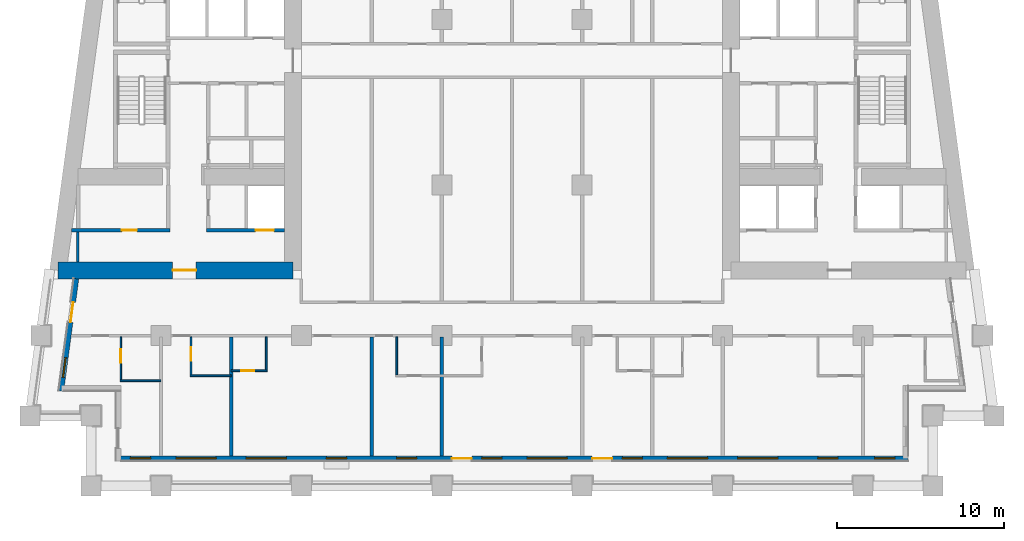
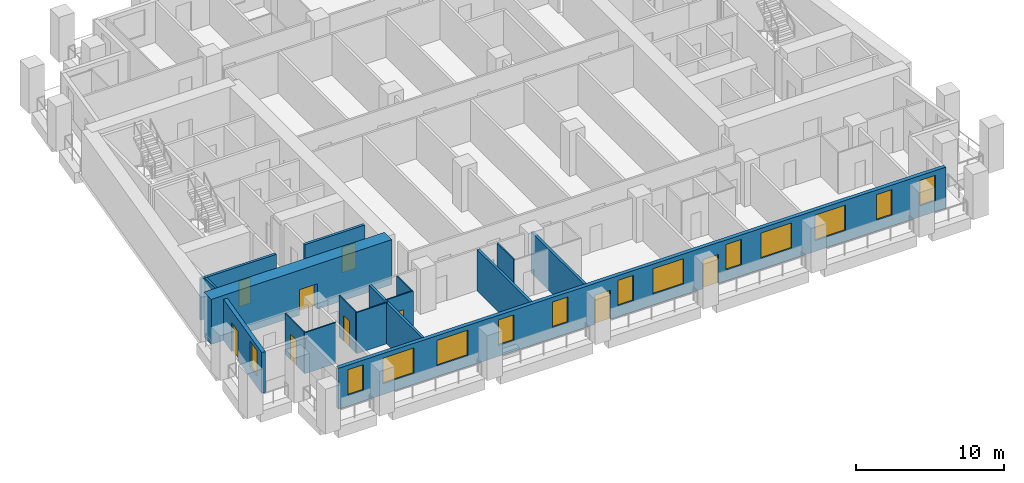
# One storey, part 2 of 13: 16 walls, 13 windows, 9 doors, 22 openings.
"""IFC4 building model written with IfcOpenShell, lengths in metres."""

import ifcopenshell
import ifcopenshell.guid

model = None  # the IFC model being written
_history = None  # IfcOwnerHistory: only IFC2X3 demands one
_inside = {}  # id of a spatial element -> (the spatial element, [elements in it])
_under = {}  # id of a project, library or spatial element -> (it, [spatial elements below it])
_declared = {}  # id of a project -> (the project, [libraries it declares])
_typed = {}  # id of a type object -> (the type object, [elements of that type])
_made_of = {}  # id of a material, layer set ... -> (it, [elements and type objects made of it])


def new_model(schema):
    """Start an empty IFC model of exactly this schema.

    Asked for "IFC4X3", IfcOpenShell would pick the latest addendum, in which some entities
    have other attributes; the version numbers below select the first issue.
    IFC2X3 requires an IfcOwnerHistory on every rooted entity: one is made here for all.
    """
    global model, _history
    if schema == "IFC4X3":
        model = ifcopenshell.file(schema_version=(4, 3, 0, 0))
    else:
        model = ifcopenshell.file(schema=schema)
    _inside.clear()
    _under.clear()
    _declared.clear()
    _typed.clear()
    _made_of.clear()
    _history = None
    if model.schema == "IFC2X3":
        org = make("IfcOrganization", Name="unknown")
        user = make(
            "IfcPersonAndOrganization",
            ThePerson=make("IfcPerson", FamilyName="unknown"),
            TheOrganization=org,
        )
        app = make(
            "IfcApplication",
            ApplicationDeveloper=org,
            Version="unknown",
            ApplicationFullName="unknown",
            ApplicationIdentifier="unknown",
        )
        _history = make(
            "IfcOwnerHistory",
            OwningUser=user,
            OwningApplication=app,
            ChangeAction="ADDED",
            CreationDate=0,
        )
    return model


def make(cls, **values):
    """One entity of the class cls with the attributes given. An attribute that is None is left unset."""
    return model.create_entity(
        cls, **{name: value for name, value in values.items() if value is not None}
    )


def rooted(cls, **values):
    """An entity with a GlobalId (a new one), such as an element, a storey or a relation."""
    return make(cls, GlobalId=ifcopenshell.guid.new(), OwnerHistory=_history, **values)


def si_unit(unit_type, name, prefix=None):
    """IfcSIUnit, for example si_unit("LENGTHUNIT", "METRE", prefix="MILLI")."""
    return make("IfcSIUnit", UnitType=unit_type, Prefix=prefix, Name=name)


def assignment(units):
    """IfcUnitAssignment: the units of a project."""
    return None if units is None else make("IfcUnitAssignment", Units=units)


def point(xyz):
    """IfcCartesianPoint."""
    return None if xyz is None else make("IfcCartesianPoint", Coordinates=xyz)


def direction(xyz):
    """IfcDirection."""
    return None if xyz is None else make("IfcDirection", DirectionRatios=xyz)


def frame(location, z_axis=None, x_axis=None):
    """IfcAxis2Placement3D, a coordinate frame: its origin and axes. An axis left out is left unset."""
    return make(
        "IfcAxis2Placement3D",
        Location=point(location),
        Axis=direction(z_axis),
        RefDirection=direction(x_axis),
    )


def frame_2d(location, x_axis=None):
    """IfcAxis2Placement2D, a coordinate frame in the plane: its origin and x axis."""
    return make(
        "IfcAxis2Placement2D", Location=point(location), RefDirection=direction(x_axis)
    )


def origin():
    """The frame at (0, 0, 0) with its axes left unset."""
    return frame((0.0, 0.0, 0.0))


def place(relative_to, where):
    """IfcLocalPlacement: puts the frame where relative to a parent placement (None: the world)."""
    return make(
        "IfcLocalPlacement", PlacementRelTo=relative_to, RelativePlacement=where
    )


def context(
    kind, dimensions, precision=None, world=None, true_north=None, identifier=None
):
    """IfcGeometricRepresentationContext, for example the 3D "Model" context."""
    return make(
        "IfcGeometricRepresentationContext",
        ContextIdentifier=identifier,
        ContextType=kind,
        CoordinateSpaceDimension=dimensions,
        Precision=precision,
        WorldCoordinateSystem=world,
        TrueNorth=true_north,
    )


def subcontext(parent, identifier, kind, view, scale=None):
    """IfcGeometricRepresentationSubContext, for example "Body" below "Model"."""
    return make(
        "IfcGeometricRepresentationSubContext",
        ContextIdentifier=identifier,
        ContextType=kind,
        ParentContext=parent,
        TargetScale=scale,
        TargetView=view,
    )


def project(units=None, contexts=None):
    """IfcProject with its units and contexts."""
    return rooted(
        "IfcProject",
        Name="project",
        RepresentationContexts=contexts,
        UnitsInContext=assignment(units),
    )


def spatial(cls, under=None, at=None, **own):
    """A site, building, storey or space (cls), placed at a placement, below another one or the project."""
    s = rooted(cls, ObjectPlacement=at, **own)
    if under is not None:
        _under.setdefault(under.id(), (under, []))[1].append(s)
    return s


def profile(cls, at=None, kind="AREA", **sizes):
    """A parametric profile (cls). Its sizes go by their IFC names, for example OverallWidth=200.0."""
    return make(cls, ProfileType=kind, Position=at, **sizes)


def rectangle(**sizes):
    """IfcRectangleProfileDef."""
    return profile("IfcRectangleProfileDef", **sizes)


def extrude(swept, where, along, depth):
    """IfcExtrudedAreaSolid: the profile swept, set in the frame where, extruded along a direction by depth."""
    return make(
        "IfcExtrudedAreaSolid",
        SweptArea=swept,
        Position=where,
        ExtrudedDirection=direction(along),
        Depth=depth,
    )


def shape(context_of_items, identifier, shape_type, items):
    """IfcShapeRepresentation: the items that make up one representation, for example the "Body"."""
    return make(
        "IfcShapeRepresentation",
        ContextOfItems=context_of_items,
        RepresentationIdentifier=identifier,
        RepresentationType=shape_type,
        Items=items,
    )


def material(Name=None, Category=None):
    """IfcMaterial."""
    return make("IfcMaterial", Name=Name, Category=Category)


def layer(
    of_material, thickness, ventilated=None, Name=None, Category=None, Priority=None
):
    """IfcMaterialLayer: one layer of a wall or slab, of a material (None: an air gap)."""
    return make(
        "IfcMaterialLayer",
        Material=of_material,
        LayerThickness=thickness,
        IsVentilated=ventilated,
        Name=Name,
        Category=Category,
        Priority=Priority,
    )


def layer_set(layers, Name=None):
    """IfcMaterialLayerSet."""
    return make("IfcMaterialLayerSet", MaterialLayers=layers, LayerSetName=Name)


def made_of(thing, what):
    """Note that an element or type object is made of a material, layer set ...; save() writes the relation."""
    if what is not None:
        _made_of.setdefault(what.id(), (what, []))[1].append(thing)
    return thing


def type_object(cls, material=None, **own):
    """A type object (cls), such as IfcWallType, which elements share."""
    return made_of(rooted(cls, **own), material)


def element(
    cls,
    number,
    at=None,
    inside=None,
    cuts=None,
    type_object=None,
    material=None,
    context=None,
    identifier="Body",
    shape_type=None,
    held_by="IfcProductDefinitionShape",
    body=None,
    shapes=None,
    **own,
):
    """One element of the class cls, such as IfcWall. Its Tag is "e" and its number.

    at: its placement. inside: the storey or other place that contains it. cuts: it is an
    opening in that element (IfcRelVoidsElement). A single representation is given by context,
    identifier, shape_type and body (its items); several are given by shapes. held_by: the class
    of the entity that holds the representations. save() writes the other relations.
    """
    e = rooted(cls, Tag="e%d" % number, ObjectPlacement=at, **own)
    if body is not None:
        shapes = [shape(context, identifier, shape_type, body)]
    if shapes is not None:
        e.Representation = make(held_by, Representations=shapes)
    if inside is not None:
        _inside.setdefault(inside.id(), (inside, []))[1].append(e)
    if cuts is not None:
        rooted(
            "IfcRelVoidsElement", RelatingBuildingElement=cuts, RelatedOpeningElement=e
        )
    if type_object is not None:
        _typed.setdefault(type_object.id(), (type_object, []))[1].append(e)
    return made_of(e, material)


def fill(opening, filler):
    """IfcRelFillsElement: the door or window that sits in an opening."""
    return rooted(
        "IfcRelFillsElement",
        RelatingOpeningElement=opening,
        RelatedBuildingElement=filler,
    )


def aggregate(whole, parts):
    """IfcRelAggregates: a whole, such as a stair, and the parts it consists of."""
    return rooted("IfcRelAggregates", RelatingObject=whole, RelatedObjects=parts)


def save(model, path):
    """Write the relations noted so far, then the file.

    IfcRelAggregates (storeys below a building ...), IfcRelContainedInSpatialStructure (elements
    in a storey), IfcRelDefinesByType, IfcRelAssociatesMaterial and IfcRelDeclares: one each for
    every whole, place, type object, material and project.
    """
    for whole, parts in _under.values():
        aggregate(whole, parts)
    for where, things in _inside.values():
        rooted(
            "IfcRelContainedInSpatialStructure",
            RelatedElements=things,
            RelatingStructure=where,
        )
    for kind, things in _typed.values():
        rooted("IfcRelDefinesByType", RelatedObjects=things, RelatingType=kind)
    for what, things in _made_of.values():
        rooted("IfcRelAssociatesMaterial", RelatedObjects=things, RelatingMaterial=what)
    for by, libraries in _declared.values():
        rooted("IfcRelDeclares", RelatingContext=by, RelatedDefinitions=libraries)
    model.write(path)


model = new_model("IFC4")

# Units and contexts
model_context = context("Model", 3, precision=1e-05, world=origin(), true_north=direction((0.0, 1.0)))
body_context = subcontext(model_context, "Body", "Model", "MODEL_VIEW")
ifc_project = project(units=[si_unit("LENGTHUNIT", "METRE"), si_unit("AREAUNIT", "SQUARE_METRE"), si_unit("VOLUMEUNIT", "CUBIC_METRE"), si_unit("PLANEANGLEUNIT", "RADIAN"), si_unit("MASSUNIT", "GRAM", prefix="KILO")], contexts=[model_context])

# Site, building, storey
site_placement = place(None, origin())
site = spatial("IfcSite", under=ifc_project, at=site_placement, CompositionType="ELEMENT")
building_placement = place(site_placement, origin())
building = spatial("IfcBuilding", under=site, at=building_placement, Name="Candeia Pilgrim Tower and Theatre", CompositionType="ELEMENT")
storey_placement = place(building_placement, frame((0.0, 0.0, 105.800048828125)))
storey = spatial("IfcBuildingStorey", under=building, at=storey_placement, Name="L24", CompositionType="ELEMENT", Elevation=105.800048828125)

# Wall, opening, door
ifc_material_1 = material(Name="Concrete C70/85", Category="concrete")
ifc_layer_1 = layer(ifc_material_1, 1.0)
ifc_layer_set_1 = layer_set([ifc_layer_1], Name="Core wall 1000 C70/85")
wall_type_1 = type_object("IfcWallType", Name="Core wall 1000 C70/85", PredefinedType="SHEAR", material=ifc_layer_set_1)
wall_1_placement = place(storey_placement, frame((100.300048828125, 110.89990234375, 0.0), z_axis=(0.0, 0.0, 1.0), x_axis=(-1.0, 0.0, 0.0)))
wall_1 = element("IfcWall", 1, at=wall_1_placement, inside=storey, type_object=wall_type_1, Name="Core wall W3", PredefinedType="SHEAR", context=body_context, shape_type="SweptSolid", body=[
    extrude(rectangle(XDim=14.05908203125, YDim=1.0, at=frame_2d((7.029541015625, 0.0))), origin(), (0.0, 0.0, 1.0), 3.699951171875),
])
opening_1_placement = place(wall_1_placement, frame((5.801513671875, 0.0, 0.0)))
opening_1 = element("IfcOpeningElement", 2, at=opening_1_placement, cuts=wall_1, Name="Opening L24-D059", PredefinedType="OPENING", context=body_context, shape_type="SweptSolid", body=[
    extrude(rectangle(XDim=1.39990234375, YDim=2.10009765625, at=frame_2d((0.699951171875, 1.050048828125))), frame((0.0, 0.510009765625, 0.0), z_axis=(0.0, -1.0, 0.0), x_axis=(1.0, 0.0, 0.0)), (0.0, 0.0, 1.0), 1.02001953125),
])
ifc_material_2 = material(Name="Steel fire door set", Category="steel")
door_type_1 = type_object("IfcDoorType", Name="D-1400-FD60", OperationType="NOTDEFINED", PredefinedType="DOOR", material=ifc_material_2)
door_1_placement = place(opening_1_placement, origin())
door_1 = element("IfcDoor", 3, at=door_1_placement, inside=storey, type_object=door_type_1, Name="Door L24-D059", OperationType="SINGLE_SWING_LEFT", OverallHeight=2.10009765625, OverallWidth=1.39990234375, PredefinedType="DOOR", context=body_context, shape_type="SweptSolid", body=[
    extrude(rectangle(XDim=1.39990234375, YDim=2.10009765625, at=frame_2d((0.699951171875, 1.050048828125))), frame((0.0, 0.02490234375, 0.0), z_axis=(0.0, -1.0, 0.0), x_axis=(1.0, 0.0, 0.0)), (0.0, 0.0, 1.0), 0.050048828125),
])
fill(opening_1, door_1)

# Wall, openings, doors, windows
ifc_material_3 = material(Name="Ceramic block masonry", Category="masonry")
ifc_layer_2 = layer(ifc_material_3, 0.300048828125)
ifc_layer_set_2 = layer_set([ifc_layer_2], Name="EW1 glazing-line wall 300")
wall_type_2 = type_object("IfcWallType", Name="EW1 glazing-line wall 300", PredefinedType="SOLIDWALL", material=ifc_layer_set_2)
wall_2_placement = place(storey_placement, frame((89.85009765625, 99.64990234375, 0.0), z_axis=(0.0, 0.0, 1.0), x_axis=(1.0, 0.0, 0.0)))
wall_2 = element("IfcWall", 4, at=wall_2_placement, inside=storey, type_object=wall_type_2, Name="External wall L24-0.0", PredefinedType="SOLIDWALL", context=body_context, shape_type="SweptSolid", body=[
    extrude(rectangle(XDim=47.25, YDim=0.300048828125, at=frame_2d((23.625, 0.0))), origin(), (0.0, 0.0, 1.0), 3.3798828125),
])
opening_2_placement = place(wall_2_placement, frame((0.72509765625, 0.0, 0.89990234375)))
opening_2 = element("IfcOpeningElement", 5, at=opening_2_placement, cuts=wall_2, Name="Opening W-B", PredefinedType="OPENING", context=body_context, shape_type="SweptSolid", body=[
    extrude(rectangle(XDim=1.199951171875, YDim=2.10009765625, at=frame_2d((0.60009765625, 1.050048828125))), frame((0.0, 0.16015625, 0.0), z_axis=(0.0, -1.0, 0.0), x_axis=(1.0, 0.0, 0.0)), (0.0, 0.0, 1.0), 0.320068359375),
])
opening_3_placement = place(wall_2_placement, frame((3.449951171875, 0.0, 0.89990234375)))
opening_3 = element("IfcOpeningElement", 6, at=opening_3_placement, cuts=wall_2, Name="Opening W-A", PredefinedType="OPENING", context=body_context, shape_type="SweptSolid", body=[
    extrude(rectangle(XDim=2.39990234375, YDim=2.10009765625, at=frame_2d((1.199951171875, 1.050048828125))), frame((0.0, 0.16015625, 0.0), z_axis=(0.0, -1.0, 0.0), x_axis=(1.0, 0.0, 0.0)), (0.0, 0.0, 1.0), 0.320068359375),
])
opening_4_placement = place(wall_2_placement, frame((7.64990234375, 0.0, 0.89990234375)))
opening_4 = element("IfcOpeningElement", 7, at=opening_4_placement, cuts=wall_2, Name="Opening W-A", PredefinedType="OPENING", context=body_context, shape_type="SweptSolid", body=[
    extrude(rectangle(XDim=2.39990234375, YDim=2.10009765625, at=frame_2d((1.199951171875, 1.050048828125))), frame((0.0, 0.16015625, 0.0), z_axis=(0.0, -1.0, 0.0), x_axis=(1.0, 0.0, 0.0)), (0.0, 0.0, 1.0), 0.320068359375),
])
opening_5_placement = place(wall_2_placement, frame((12.449951171875, 0.0, 0.89990234375)))
opening_5 = element("IfcOpeningElement", 8, at=opening_5_placement, cuts=wall_2, Name="Opening W-B", PredefinedType="OPENING", context=body_context, shape_type="SweptSolid", body=[
    extrude(rectangle(XDim=1.199951171875, YDim=2.10009765625, at=frame_2d((0.60009765625, 1.050048828125))), frame((0.0, 0.16015625, 0.0), z_axis=(0.0, -1.0, 0.0), x_axis=(1.0, 0.0, 0.0)), (0.0, 0.0, 1.0), 0.320068359375),
])
opening_6_placement = place(wall_2_placement, frame((16.64990234375, 0.0, 0.89990234375)))
opening_6 = element("IfcOpeningElement", 9, at=opening_6_placement, cuts=wall_2, Name="Opening W-B", PredefinedType="OPENING", context=body_context, shape_type="SweptSolid", body=[
    extrude(rectangle(XDim=1.199951171875, YDim=2.10009765625, at=frame_2d((0.60009765625, 1.050048828125))), frame((0.0, 0.16015625, 0.0), z_axis=(0.0, -1.0, 0.0), x_axis=(1.0, 0.0, 0.0)), (0.0, 0.0, 1.0), 0.320068359375),
])
opening_7_placement = place(wall_2_placement, frame((19.949951171875, 0.0, 0.0)))
opening_7 = element("IfcOpeningElement", 10, at=opening_7_placement, cuts=wall_2, Name="Opening L24-ED243", PredefinedType="OPENING", context=body_context, shape_type="SweptSolid", body=[
    extrude(rectangle(XDim=1.199951171875, YDim=2.39990234375, at=frame_2d((0.60009765625, 1.199951171875))), frame((0.0, 0.16015625, 0.0), z_axis=(0.0, -1.0, 0.0), x_axis=(1.0, 0.0, 0.0)), (0.0, 0.0, 1.0), 0.320068359375),
])
opening_8_placement = place(wall_2_placement, frame((21.75, 0.0, 0.89990234375)))
opening_8 = element("IfcOpeningElement", 11, at=opening_8_placement, cuts=wall_2, Name="Opening W-B", PredefinedType="OPENING", context=body_context, shape_type="SweptSolid", body=[
    extrude(rectangle(XDim=1.199951171875, YDim=2.10009765625, at=frame_2d((0.60009765625, 1.050048828125))), frame((0.0, 0.16015625, 0.0), z_axis=(0.0, -1.0, 0.0), x_axis=(1.0, 0.0, 0.0)), (0.0, 0.0, 1.0), 0.320068359375),
])
opening_9_placement = place(wall_2_placement, frame((24.449951171875, 0.0, 0.89990234375)))
opening_9 = element("IfcOpeningElement", 12, at=opening_9_placement, cuts=wall_2, Name="Opening W-A", PredefinedType="OPENING", context=body_context, shape_type="SweptSolid", body=[
    extrude(rectangle(XDim=2.39990234375, YDim=2.10009765625, at=frame_2d((1.199951171875, 1.050048828125))), frame((0.0, 0.16015625, 0.0), z_axis=(0.0, -1.0, 0.0), x_axis=(1.0, 0.0, 0.0)), (0.0, 0.0, 1.0), 0.320068359375),
])
opening_10_placement = place(wall_2_placement, frame((28.35009765625, 0.0, 0.0)))
opening_10 = element("IfcOpeningElement", 13, at=opening_10_placement, cuts=wall_2, Name="Opening L24-ED244", PredefinedType="OPENING", context=body_context, shape_type="SweptSolid", body=[
    extrude(rectangle(XDim=1.199951171875, YDim=2.39990234375, at=frame_2d((0.60009765625, 1.199951171875))), frame((0.0, 0.16015625, 0.0), z_axis=(0.0, -1.0, 0.0), x_axis=(1.0, 0.0, 0.0)), (0.0, 0.0, 1.0), 0.320068359375),
])
opening_11_placement = place(wall_2_placement, frame((30.14990234375, 0.0, 0.89990234375)))
opening_11 = element("IfcOpeningElement", 14, at=opening_11_placement, cuts=wall_2, Name="Opening W-B", PredefinedType="OPENING", context=body_context, shape_type="SweptSolid", body=[
    extrude(rectangle(XDim=1.199951171875, YDim=2.10009765625, at=frame_2d((0.60009765625, 1.050048828125))), frame((0.0, 0.16015625, 0.0), z_axis=(0.0, -1.0, 0.0), x_axis=(1.0, 0.0, 0.0)), (0.0, 0.0, 1.0), 0.320068359375),
])
opening_12_placement = place(wall_2_placement, frame((32.85009765625, 0.0, 0.89990234375)))
opening_12 = element("IfcOpeningElement", 15, at=opening_12_placement, cuts=wall_2, Name="Opening W-A", PredefinedType="OPENING", context=body_context, shape_type="SweptSolid", body=[
    extrude(rectangle(XDim=2.39990234375, YDim=2.10009765625, at=frame_2d((1.199951171875, 1.050048828125))), frame((0.0, 0.16015625, 0.0), z_axis=(0.0, -1.0, 0.0), x_axis=(1.0, 0.0, 0.0)), (0.0, 0.0, 1.0), 0.320068359375),
])
opening_13_placement = place(wall_2_placement, frame((37.050048828125, 0.0, 0.89990234375)))
opening_13 = element("IfcOpeningElement", 16, at=opening_13_placement, cuts=wall_2, Name="Opening W-A", PredefinedType="OPENING", context=body_context, shape_type="SweptSolid", body=[
    extrude(rectangle(XDim=2.39990234375, YDim=2.10009765625, at=frame_2d((1.199951171875, 1.050048828125))), frame((0.0, 0.16015625, 0.0), z_axis=(0.0, -1.0, 0.0), x_axis=(1.0, 0.0, 0.0)), (0.0, 0.0, 1.0), 0.320068359375),
])
opening_14_placement = place(wall_2_placement, frame((41.85009765625, 0.0, 0.89990234375)))
opening_14 = element("IfcOpeningElement", 17, at=opening_14_placement, cuts=wall_2, Name="Opening W-B", PredefinedType="OPENING", context=body_context, shape_type="SweptSolid", body=[
    extrude(rectangle(XDim=1.199951171875, YDim=2.10009765625, at=frame_2d((0.60009765625, 1.050048828125))), frame((0.0, 0.16015625, 0.0), z_axis=(0.0, -1.0, 0.0), x_axis=(1.0, 0.0, 0.0)), (0.0, 0.0, 1.0), 0.320068359375),
])
opening_15_placement = place(wall_2_placement, frame((45.25, 0.0, 0.89990234375)))
opening_15 = element("IfcOpeningElement", 18, at=opening_15_placement, cuts=wall_2, Name="Opening W-B", PredefinedType="OPENING", context=body_context, shape_type="SweptSolid", body=[
    extrude(rectangle(XDim=1.199951171875, YDim=2.10009765625, at=frame_2d((0.60009765625, 1.050048828125))), frame((0.0, 0.16015625, 0.0), z_axis=(0.0, -1.0, 0.0), x_axis=(1.0, 0.0, 0.0)), (0.0, 0.0, 1.0), 0.320068359375),
])
ifc_material_4 = material(Name="Aluminium framed glazed door", Category="aluminium")
door_type_2 = type_object("IfcDoorType", Name="Loggia door 1200x2400", OperationType="DOUBLE_DOOR_SINGLE_SWING", PredefinedType="DOOR", material=ifc_material_4)
door_2_placement = place(opening_7_placement, origin())
door_2 = element("IfcDoor", 19, at=door_2_placement, inside=storey, type_object=door_type_2, Name="Loggia door L24-ED243", OperationType="DOUBLE_DOOR_SINGLE_SWING", OverallHeight=2.39990234375, OverallWidth=1.199951171875, PredefinedType="DOOR", context=body_context, shape_type="SweptSolid", body=[
    extrude(rectangle(XDim=1.199951171875, YDim=2.39990234375, at=frame_2d((0.60009765625, 1.199951171875))), frame((0.0, 0.02490234375, 0.0), z_axis=(0.0, -1.0, 0.0), x_axis=(1.0, 0.0, 0.0)), (0.0, 0.0, 1.0), 0.050048828125),
])
fill(opening_7, door_2)
door_3_placement = place(opening_10_placement, origin())
door_3 = element("IfcDoor", 20, at=door_3_placement, inside=storey, type_object=door_type_2, Name="Loggia door L24-ED244", OperationType="DOUBLE_DOOR_SINGLE_SWING", OverallHeight=2.39990234375, OverallWidth=1.199951171875, PredefinedType="DOOR", context=body_context, shape_type="SweptSolid", body=[
    extrude(rectangle(XDim=1.199951171875, YDim=2.39990234375, at=frame_2d((0.60009765625, 1.199951171875))), frame((0.0, 0.02490234375, 0.0), z_axis=(0.0, -1.0, 0.0), x_axis=(1.0, 0.0, 0.0)), (0.0, 0.0, 1.0), 0.050048828125),
])
fill(opening_10, door_3)
ifc_material_5 = material(Name="Aluminium framed double glazing", Category="aluminium")
window_type_1 = type_object("IfcWindowType", Name="W-A window 2400x2100", PartitioningType="DOUBLE_PANEL_VERTICAL", PredefinedType="WINDOW", material=ifc_material_5)
window_1_placement = place(opening_3_placement, origin())
window_1 = element("IfcWindow", 21, at=window_1_placement, inside=storey, type_object=window_type_1, Name="Window W-A L24", OverallHeight=2.10009765625, OverallWidth=2.39990234375, PartitioningType="SINGLE_PANEL", PredefinedType="WINDOW", context=body_context, shape_type="SweptSolid", body=[
    extrude(rectangle(XDim=2.39990234375, YDim=2.10009765625, at=frame_2d((1.199951171875, 1.050048828125))), frame((0.0, 0.030029296875, 0.0), z_axis=(0.0, -1.0, 0.0), x_axis=(1.0, 0.0, 0.0)), (0.0, 0.0, 1.0), 0.06005859375),
])
fill(opening_3, window_1)
window_2_placement = place(opening_4_placement, origin())
window_2 = element("IfcWindow", 22, at=window_2_placement, inside=storey, type_object=window_type_1, Name="Window W-A L24", OverallHeight=2.10009765625, OverallWidth=2.39990234375, PartitioningType="SINGLE_PANEL", PredefinedType="WINDOW", context=body_context, shape_type="SweptSolid", body=[
    extrude(rectangle(XDim=2.39990234375, YDim=2.10009765625, at=frame_2d((1.199951171875, 1.050048828125))), frame((0.0, 0.030029296875, 0.0), z_axis=(0.0, -1.0, 0.0), x_axis=(1.0, 0.0, 0.0)), (0.0, 0.0, 1.0), 0.06005859375),
])
fill(opening_4, window_2)
window_3_placement = place(opening_9_placement, origin())
window_3 = element("IfcWindow", 23, at=window_3_placement, inside=storey, type_object=window_type_1, Name="Window W-A L24", OverallHeight=2.10009765625, OverallWidth=2.39990234375, PartitioningType="SINGLE_PANEL", PredefinedType="WINDOW", context=body_context, shape_type="SweptSolid", body=[
    extrude(rectangle(XDim=2.39990234375, YDim=2.10009765625, at=frame_2d((1.199951171875, 1.050048828125))), frame((0.0, 0.030029296875, 0.0), z_axis=(0.0, -1.0, 0.0), x_axis=(1.0, 0.0, 0.0)), (0.0, 0.0, 1.0), 0.06005859375),
])
fill(opening_9, window_3)
window_4_placement = place(opening_12_placement, origin())
window_4 = element("IfcWindow", 24, at=window_4_placement, inside=storey, type_object=window_type_1, Name="Window W-A L24", OverallHeight=2.10009765625, OverallWidth=2.39990234375, PartitioningType="SINGLE_PANEL", PredefinedType="WINDOW", context=body_context, shape_type="SweptSolid", body=[
    extrude(rectangle(XDim=2.39990234375, YDim=2.10009765625, at=frame_2d((1.199951171875, 1.050048828125))), frame((0.0, 0.030029296875, 0.0), z_axis=(0.0, -1.0, 0.0), x_axis=(1.0, 0.0, 0.0)), (0.0, 0.0, 1.0), 0.06005859375),
])
fill(opening_12, window_4)
window_5_placement = place(opening_13_placement, origin())
window_5 = element("IfcWindow", 25, at=window_5_placement, inside=storey, type_object=window_type_1, Name="Window W-A L24", OverallHeight=2.10009765625, OverallWidth=2.39990234375, PartitioningType="SINGLE_PANEL", PredefinedType="WINDOW", context=body_context, shape_type="SweptSolid", body=[
    extrude(rectangle(XDim=2.39990234375, YDim=2.10009765625, at=frame_2d((1.199951171875, 1.050048828125))), frame((0.0, 0.030029296875, 0.0), z_axis=(0.0, -1.0, 0.0), x_axis=(1.0, 0.0, 0.0)), (0.0, 0.0, 1.0), 0.06005859375),
])
fill(opening_13, window_5)
window_type_2 = type_object("IfcWindowType", Name="W-B window 1200x2100", PartitioningType="SINGLE_PANEL", PredefinedType="WINDOW", material=ifc_material_5)
window_6_placement = place(opening_2_placement, origin())
window_6 = element("IfcWindow", 26, at=window_6_placement, inside=storey, type_object=window_type_2, Name="Window W-B L24", OverallHeight=2.10009765625, OverallWidth=1.199951171875, PartitioningType="SINGLE_PANEL", PredefinedType="WINDOW", context=body_context, shape_type="SweptSolid", body=[
    extrude(rectangle(XDim=1.199951171875, YDim=2.10009765625, at=frame_2d((0.60009765625, 1.050048828125))), frame((0.0, 0.030029296875, 0.0), z_axis=(0.0, -1.0, 0.0), x_axis=(1.0, 0.0, 0.0)), (0.0, 0.0, 1.0), 0.06005859375),
])
fill(opening_2, window_6)
window_7_placement = place(opening_5_placement, origin())
window_7 = element("IfcWindow", 27, at=window_7_placement, inside=storey, type_object=window_type_2, Name="Window W-B L24", OverallHeight=2.10009765625, OverallWidth=1.199951171875, PartitioningType="SINGLE_PANEL", PredefinedType="WINDOW", context=body_context, shape_type="SweptSolid", body=[
    extrude(rectangle(XDim=1.199951171875, YDim=2.10009765625, at=frame_2d((0.60009765625, 1.050048828125))), frame((0.0, 0.030029296875, 0.0), z_axis=(0.0, -1.0, 0.0), x_axis=(1.0, 0.0, 0.0)), (0.0, 0.0, 1.0), 0.06005859375),
])
fill(opening_5, window_7)
window_8_placement = place(opening_6_placement, origin())
window_8 = element("IfcWindow", 28, at=window_8_placement, inside=storey, type_object=window_type_2, Name="Window W-B L24", OverallHeight=2.10009765625, OverallWidth=1.199951171875, PartitioningType="SINGLE_PANEL", PredefinedType="WINDOW", context=body_context, shape_type="SweptSolid", body=[
    extrude(rectangle(XDim=1.199951171875, YDim=2.10009765625, at=frame_2d((0.60009765625, 1.050048828125))), frame((0.0, 0.030029296875, 0.0), z_axis=(0.0, -1.0, 0.0), x_axis=(1.0, 0.0, 0.0)), (0.0, 0.0, 1.0), 0.06005859375),
])
fill(opening_6, window_8)
window_9_placement = place(opening_8_placement, origin())
window_9 = element("IfcWindow", 29, at=window_9_placement, inside=storey, type_object=window_type_2, Name="Window W-B L24", OverallHeight=2.10009765625, OverallWidth=1.199951171875, PartitioningType="SINGLE_PANEL", PredefinedType="WINDOW", context=body_context, shape_type="SweptSolid", body=[
    extrude(rectangle(XDim=1.199951171875, YDim=2.10009765625, at=frame_2d((0.60009765625, 1.050048828125))), frame((0.0, 0.030029296875, 0.0), z_axis=(0.0, -1.0, 0.0), x_axis=(1.0, 0.0, 0.0)), (0.0, 0.0, 1.0), 0.06005859375),
])
fill(opening_8, window_9)
window_10_placement = place(opening_11_placement, origin())
window_10 = element("IfcWindow", 30, at=window_10_placement, inside=storey, type_object=window_type_2, Name="Window W-B L24", OverallHeight=2.10009765625, OverallWidth=1.199951171875, PartitioningType="SINGLE_PANEL", PredefinedType="WINDOW", context=body_context, shape_type="SweptSolid", body=[
    extrude(rectangle(XDim=1.199951171875, YDim=2.10009765625, at=frame_2d((0.60009765625, 1.050048828125))), frame((0.0, 0.030029296875, 0.0), z_axis=(0.0, -1.0, 0.0), x_axis=(1.0, 0.0, 0.0)), (0.0, 0.0, 1.0), 0.06005859375),
])
fill(opening_11, window_10)
window_11_placement = place(opening_14_placement, origin())
window_11 = element("IfcWindow", 31, at=window_11_placement, inside=storey, type_object=window_type_2, Name="Window W-B L24", OverallHeight=2.10009765625, OverallWidth=1.199951171875, PartitioningType="SINGLE_PANEL", PredefinedType="WINDOW", context=body_context, shape_type="SweptSolid", body=[
    extrude(rectangle(XDim=1.199951171875, YDim=2.10009765625, at=frame_2d((0.60009765625, 1.050048828125))), frame((0.0, 0.030029296875, 0.0), z_axis=(0.0, -1.0, 0.0), x_axis=(1.0, 0.0, 0.0)), (0.0, 0.0, 1.0), 0.06005859375),
])
fill(opening_14, window_11)
window_12_placement = place(opening_15_placement, origin())
window_12 = element("IfcWindow", 32, at=window_12_placement, inside=storey, type_object=window_type_2, Name="Window W-B L24", OverallHeight=2.10009765625, OverallWidth=1.199951171875, PartitioningType="SINGLE_PANEL", PredefinedType="WINDOW", context=body_context, shape_type="SweptSolid", body=[
    extrude(rectangle(XDim=1.199951171875, YDim=2.10009765625, at=frame_2d((0.60009765625, 1.050048828125))), frame((0.0, 0.030029296875, 0.0), z_axis=(0.0, -1.0, 0.0), x_axis=(1.0, 0.0, 0.0)), (0.0, 0.0, 1.0), 0.06005859375),
])
fill(opening_15, window_12)

# Wall, openings, door, window
wall_3_placement = place(storey_placement, frame((87.334228515625, 110.39990234375, 0.0), z_axis=(0.0, 0.0, 1.0), x_axis=(-0.133437175554, -0.991057273915, 0.0)))
wall_3 = element("IfcWall", 33, at=wall_3_placement, inside=storey, type_object=wall_type_2, Name="External wall L24-9.1", PredefinedType="SOLIDWALL", context=body_context, shape_type="SweptSolid", body=[
    extrude(rectangle(XDim=6.780517578125, YDim=0.300048828125, at=frame_2d((3.39013671875, 0.0))), origin(), (0.0, 0.0, 1.0), 3.3798828125),
])
opening_16_placement = place(wall_3_placement, frame((1.41796875, 0.0, 0.0)))
opening_16 = element("IfcOpeningElement", 34, at=opening_16_placement, cuts=wall_3, Name="Opening L24-ED251", PredefinedType="OPENING", context=body_context, shape_type="SweptSolid", body=[
    extrude(rectangle(XDim=1.199951171875, YDim=2.39990234375, at=frame_2d((0.60009765625, 1.199951171875))), frame((0.0, 0.16015625, 0.0), z_axis=(0.0, -1.0, 0.0), x_axis=(1.0, 0.0, 0.0)), (0.0, 0.0, 1.0), 0.320068359375),
])
opening_17_placement = place(wall_3_placement, frame((4.75830078125, 0.0, 0.89990234375)))
opening_17 = element("IfcOpeningElement", 35, at=opening_17_placement, cuts=wall_3, Name="Opening W-B", PredefinedType="OPENING", context=body_context, shape_type="SweptSolid", body=[
    extrude(rectangle(XDim=1.199951171875, YDim=2.10009765625, at=frame_2d((0.60009765625, 1.050048828125))), frame((0.0, 0.16015625, 0.0), z_axis=(0.0, -1.0, 0.0), x_axis=(1.0, 0.0, 0.0)), (0.0, 0.0, 1.0), 0.320068359375),
])
door_4_placement = place(opening_16_placement, origin())
door_4 = element("IfcDoor", 36, at=door_4_placement, inside=storey, type_object=door_type_2, Name="Loggia door L24-ED251", OperationType="DOUBLE_DOOR_SINGLE_SWING", OverallHeight=2.39990234375, OverallWidth=1.199951171875, PredefinedType="DOOR", context=body_context, shape_type="SweptSolid", body=[
    extrude(rectangle(XDim=1.199951171875, YDim=2.39990234375, at=frame_2d((0.60009765625, 1.199951171875))), frame((0.0, 0.02490234375, 0.0), z_axis=(0.0, -1.0, 0.0), x_axis=(1.0, 0.0, 0.0)), (0.0, 0.0, 1.0), 0.050048828125),
])
fill(opening_16, door_4)
window_13_placement = place(opening_17_placement, origin())
window_13 = element("IfcWindow", 37, at=window_13_placement, inside=storey, type_object=window_type_2, Name="Window W-B L24", OverallHeight=2.10009765625, OverallWidth=1.199951171875, PartitioningType="SINGLE_PANEL", PredefinedType="WINDOW", context=body_context, shape_type="SweptSolid", body=[
    extrude(rectangle(XDim=1.199951171875, YDim=2.10009765625, at=frame_2d((0.60009765625, 1.050048828125))), frame((0.0, 0.030029296875, 0.0), z_axis=(0.0, -1.0, 0.0), x_axis=(1.0, 0.0, 0.0)), (0.0, 0.0, 1.0), 0.06005859375),
])
fill(opening_17, window_13)

# Walls
ifc_material_6 = material(Name="Gypsum board partition on steel studs", Category="steel")
ifc_layer_3 = layer(ifc_material_6, 0.10009765625)
ifc_layer_set_3 = layer_set([ifc_layer_3], Name="PW-100 room partition")
wall_type_3 = type_object("IfcWallType", Name="PW-100 room partition", PredefinedType="PARTITIONING", material=ifc_layer_set_3)
wall_4_placement = place(storey_placement, frame((89.949951171875, 104.300048828125, 0.0), z_axis=(0.0, 0.0, 1.0), x_axis=(1.0, 0.0, 0.0)))
element("IfcWall", 38, at=wall_4_placement, inside=storey, type_object=wall_type_3, Name="Room partition L24-001", PredefinedType="PARTITIONING", context=body_context, shape_type="SweptSolid", body=[
    extrude(rectangle(XDim=2.449951171875, YDim=0.10009765625, at=frame_2d((1.22509765625, 0.0))), origin(), (0.0, 0.0, 1.0), 3.3798828125),
])
wall_5_placement = place(storey_placement, frame((94.14990234375, 104.60009765625, 0.0), z_axis=(0.0, 0.0, 1.0), x_axis=(1.0, 0.0, 0.0)))
element("IfcWall", 39, at=wall_5_placement, inside=storey, type_object=wall_type_3, Name="Room partition L24-003", PredefinedType="PARTITIONING", context=body_context, shape_type="SweptSolid", body=[
    extrude(rectangle(XDim=2.4501953125, YDim=0.10009765625, at=frame_2d((1.22509765625, 0.0))), origin(), (0.0, 0.0, 1.0), 3.3798828125),
])

# Wall, opening, door
wall_6_placement = place(storey_placement, frame((96.60009765625, 104.89990234375, 0.0), z_axis=(0.0, 0.0, 1.0), x_axis=(1.0, 0.0, 0.0)))
wall_6 = element("IfcWall", 40, at=wall_6_placement, inside=storey, type_object=wall_type_3, Name="Room partition L24-007", PredefinedType="PARTITIONING", context=body_context, shape_type="SweptSolid", body=[
    extrude(rectangle(XDim=2.14990234375, YDim=0.10009765625, at=frame_2d((1.074951171875, 0.0))), origin(), (0.0, 0.0, 1.0), 3.3798828125),
])
opening_18_placement = place(wall_6_placement, frame((0.590087890625, 0.0, 0.0)))
opening_18 = element("IfcOpeningElement", 41, at=opening_18_placement, cuts=wall_6, Name="Opening L24-D021", PredefinedType="OPENING", context=body_context, shape_type="SweptSolid", body=[
    extrude(rectangle(XDim=0.800048828125, YDim=2.10009765625, at=frame_2d((0.39990234375, 1.050048828125))), frame((0.0, 0.06005859375, 0.0), z_axis=(0.0, -1.0, 0.0), x_axis=(1.0, 0.0, 0.0)), (0.0, 0.0, 1.0), 0.1201171875),
])
ifc_material_7 = material(Name="Timber door leaf", Category="wood")
door_type_3 = type_object("IfcDoorType", Name="D-800", OperationType="NOTDEFINED", PredefinedType="DOOR", material=ifc_material_7)
door_5_placement = place(opening_18_placement, origin())
door_5 = element("IfcDoor", 42, at=door_5_placement, inside=storey, type_object=door_type_3, Name="Door L24-D021", OperationType="SINGLE_SWING_LEFT", OverallHeight=2.10009765625, OverallWidth=0.800048828125, PredefinedType="DOOR", context=body_context, shape_type="SweptSolid", body=[
    extrude(rectangle(XDim=0.800048828125, YDim=2.10009765625, at=frame_2d((0.39990234375, 1.050048828125))), frame((0.0, 0.02490234375, 0.0), z_axis=(0.0, -1.0, 0.0), x_axis=(1.0, 0.0, 0.0)), (0.0, 0.0, 1.0), 0.050048828125),
])
fill(opening_18, door_5)

wall_7_placement = place(storey_placement, frame((90.0, 104.35009765625, 0.0), z_axis=(0.0, 0.0, 1.0), x_axis=(0.0, 1.0, 0.0)))
wall_7 = element("IfcWall", 43, at=wall_7_placement, inside=storey, type_object=wall_type_3, Name="Room partition L24-052", PredefinedType="PARTITIONING", context=body_context, shape_type="SweptSolid", body=[
    extrude(rectangle(XDim=2.574951171875, YDim=0.10009765625, at=frame_2d((1.28759765625, 0.0))), origin(), (0.0, 0.0, 1.0), 3.3798828125),
])
opening_19_placement = place(wall_7_placement, frame((1.02001953125, 0.0, 0.0)))
opening_19 = element("IfcOpeningElement", 44, at=opening_19_placement, cuts=wall_7, Name="Opening L24-D017", PredefinedType="OPENING", context=body_context, shape_type="SweptSolid", body=[
    extrude(rectangle(XDim=0.800048828125, YDim=2.10009765625, at=frame_2d((0.39990234375, 1.050048828125))), frame((0.0, 0.06005859375, 0.0), z_axis=(0.0, -1.0, 0.0), x_axis=(1.0, 0.0, 0.0)), (0.0, 0.0, 1.0), 0.1201171875),
])
door_6_placement = place(opening_19_placement, origin())
door_6 = element("IfcDoor", 45, at=door_6_placement, inside=storey, type_object=door_type_3, Name="Door L24-D017", OperationType="SINGLE_SWING_LEFT", OverallHeight=2.10009765625, OverallWidth=0.800048828125, PredefinedType="DOOR", context=body_context, shape_type="SweptSolid", body=[
    extrude(rectangle(XDim=0.800048828125, YDim=2.10009765625, at=frame_2d((0.39990234375, 1.050048828125))), frame((0.0, 0.02490234375, 0.0), z_axis=(0.0, -1.0, 0.0), x_axis=(1.0, 0.0, 0.0)), (0.0, 0.0, 1.0), 0.050048828125),
])
fill(opening_19, door_6)

wall_8_placement = place(storey_placement, frame((94.199951171875, 104.64990234375, 0.0), z_axis=(0.0, 0.0, 1.0), x_axis=(0.0, 1.0, 0.0)))
wall_8 = element("IfcWall", 46, at=wall_8_placement, inside=storey, type_object=wall_type_3, Name="Room partition L24-060", PredefinedType="PARTITIONING", context=body_context, shape_type="SweptSolid", body=[
    extrude(rectangle(XDim=2.275146484375, YDim=0.10009765625, at=frame_2d((1.1376953125, 0.0))), origin(), (0.0, 0.0, 1.0), 3.3798828125),
])
opening_20_placement = place(wall_8_placement, frame((0.840087890625, 0.0, 0.0)))
opening_20 = element("IfcOpeningElement", 47, at=opening_20_placement, cuts=wall_8, Name="Opening L24-D019", PredefinedType="OPENING", context=body_context, shape_type="SweptSolid", body=[
    extrude(rectangle(XDim=0.800048828125, YDim=2.10009765625, at=frame_2d((0.39990234375, 1.050048828125))), frame((0.0, 0.06005859375, 0.0), z_axis=(0.0, -1.0, 0.0), x_axis=(1.0, 0.0, 0.0)), (0.0, 0.0, 1.0), 0.1201171875),
])
door_7_placement = place(opening_20_placement, origin())
door_7 = element("IfcDoor", 48, at=door_7_placement, inside=storey, type_object=door_type_3, Name="Door L24-D019", OperationType="SINGLE_SWING_LEFT", OverallHeight=2.10009765625, OverallWidth=0.800048828125, PredefinedType="DOOR", context=body_context, shape_type="SweptSolid", body=[
    extrude(rectangle(XDim=0.800048828125, YDim=2.10009765625, at=frame_2d((0.39990234375, 1.050048828125))), frame((0.0, 0.02490234375, 0.0), z_axis=(0.0, -1.0, 0.0), x_axis=(1.0, 0.0, 0.0)), (0.0, 0.0, 1.0), 0.050048828125),
])
fill(opening_20, door_7)

# Walls
wall_9_placement = place(storey_placement, frame((98.699951171875, 104.949951171875, 0.0), z_axis=(0.0, 0.0, 1.0), x_axis=(0.0, 1.0, 0.0)))
element("IfcWall", 49, at=wall_9_placement, inside=storey, type_object=wall_type_3, Name="Room partition L24-071", PredefinedType="PARTITIONING", context=body_context, shape_type="SweptSolid", body=[
    extrude(rectangle(XDim=1.97509765625, YDim=0.10009765625, at=frame_2d((0.987548828125, 0.0))), origin(), (0.0, 0.0, 1.0), 3.3798828125),
])
wall_10_placement = place(storey_placement, frame((106.5, 104.64990234375, 0.0), z_axis=(0.0, 0.0, 1.0), x_axis=(0.0, 1.0, 0.0)))
element("IfcWall", 50, at=wall_10_placement, inside=storey, type_object=wall_type_3, Name="Room partition L24-079", PredefinedType="PARTITIONING", context=body_context, shape_type="SweptSolid", body=[
    extrude(rectangle(XDim=2.275146484375, YDim=0.10009765625, at=frame_2d((1.1376953125, 0.0))), origin(), (0.0, 0.0, 1.0), 3.3798828125),
])
ifc_layer_4 = layer(ifc_material_6, 0.14990234375)
ifc_layer_set_4 = layer_set([ifc_layer_4], Name="PW-150 lobby wall")
wall_type_4 = type_object("IfcWallType", Name="PW-150 lobby wall", PredefinedType="PARTITIONING", material=ifc_layer_set_4)
wall_11_placement = place(storey_placement, frame((87.428955078125, 111.39990234375, 0.0), z_axis=(0.0, 0.0, 1.0), x_axis=(0.0, 1.0, 0.0)))
element("IfcWall", 51, at=wall_11_placement, inside=storey, type_object=wall_type_4, Name="Lobby wall L24-049", PredefinedType="PARTITIONING", context=body_context, shape_type="SweptSolid", body=[
    extrude(rectangle(XDim=1.800048828125, YDim=0.14990234375, at=frame_2d((0.89990234375, 0.0))), origin(), (0.0, 0.0, 1.0), 3.3798828125),
])
ifc_layer_5 = layer(ifc_material_6, 0.199951171875)
ifc_layer_set_5 = layer_set([ifc_layer_5], Name="PW-200 party wall")
wall_type_5 = type_object("IfcWallType", Name="PW-200 party wall", PredefinedType="PARTITIONING", material=ifc_layer_set_5)
for number, where, z_axis, x_axis, name in (
    (52, (96.60009765625, 99.7900390625, 0.0), (0.0, 0.0, 1.0), (0.0, 1.0, 0.0), "Party wall L24-065"),
    (53, (105.0, 99.7900390625, 0.0), (0.0, 0.0, 1.0), (0.0, 1.0, 0.0), "Party wall L24-075"),
    (54, (109.199951171875, 99.7900390625, 0.0), (0.0, 0.0, 1.0), (0.0, 1.0, 0.0), "Party wall L24-082"),
):
    element("IfcWall", number, at=place(storey_placement, frame(where, z_axis=z_axis, x_axis=x_axis)), inside=storey, type_object=wall_type_5, Name=name, PredefinedType="PARTITIONING", context=body_context, shape_type="SweptSolid", body=[
        extrude(rectangle(XDim=7.135009765625, YDim=0.199951171875, at=frame_2d((3.5673828125, 0.0))), origin(), (0.0, 0.0, 1.0), 3.3798828125),
    ])

# Wall, opening, door
ifc_material_8 = material(Name="Concrete C40/50", Category="concrete")
ifc_layer_6 = layer(ifc_material_8, 0.199951171875)
ifc_layer_set_6 = layer_set([ifc_layer_6], Name="SW-200 shaft wall")
wall_type_6 = type_object("IfcWallType", Name="SW-200 shaft wall", PredefinedType="PARTITIONING", material=ifc_layer_set_6)
wall_12_placement = place(storey_placement, frame((87.03857421875, 113.300048828125, 0.0), z_axis=(0.0, 0.0, 1.0), x_axis=(1.0, 0.0, 0.0)))
wall_12 = element("IfcWall", 55, at=wall_12_placement, inside=storey, type_object=wall_type_6, Name="Shaft wall L24-011", PredefinedType="PARTITIONING", context=body_context, shape_type="SweptSolid", body=[
    extrude(rectangle(XDim=5.888427734375, YDim=0.199951171875, at=frame_2d((2.9443359375, 0.0))), origin(), (0.0, 0.0, 1.0), 3.3798828125),
])
opening_21_placement = place(wall_12_placement, frame((3.019287109375, 0.0, 0.0)))
opening_21 = element("IfcOpeningElement", 56, at=opening_21_placement, cuts=wall_12, Name="Opening L24-D007", PredefinedType="OPENING", context=body_context, shape_type="SweptSolid", body=[
    extrude(rectangle(XDim=0.89990234375, YDim=2.10009765625, at=frame_2d((0.449951171875, 1.050048828125))), frame((0.0, 0.10986328125, 0.0), z_axis=(0.0, -1.0, 0.0), x_axis=(1.0, 0.0, 0.0)), (0.0, 0.0, 1.0), 0.219970703125),
])
door_type_4 = type_object("IfcDoorType", Name="D-900-FD60", OperationType="NOTDEFINED", PredefinedType="DOOR", material=ifc_material_2)
door_8_placement = place(opening_21_placement, origin())
door_8 = element("IfcDoor", 57, at=door_8_placement, inside=storey, type_object=door_type_4, Name="Door L24-D007", OperationType="SINGLE_SWING_RIGHT", OverallHeight=2.10009765625, OverallWidth=0.89990234375, PredefinedType="DOOR", context=body_context, shape_type="SweptSolid", body=[
    extrude(rectangle(XDim=0.89990234375, YDim=2.10009765625, at=frame_2d((0.449951171875, 1.050048828125))), frame((0.0, 0.02490234375, 0.0), z_axis=(0.0, -1.0, 0.0), x_axis=(1.0, 0.0, 0.0)), (0.0, 0.0, 1.0), 0.050048828125),
])
fill(opening_21, door_8)

wall_13_placement = place(storey_placement, frame((95.126953125, 113.300048828125, 0.0), z_axis=(0.0, 0.0, 1.0), x_axis=(1.0, 0.0, 0.0)))
wall_13 = element("IfcWall", 58, at=wall_13_placement, inside=storey, type_object=wall_type_6, Name="Shaft wall L24-012", PredefinedType="PARTITIONING", context=body_context, shape_type="SweptSolid", body=[
    extrude(rectangle(XDim=4.673095703125, YDim=0.199951171875, at=frame_2d((2.33642578125, 0.0))), origin(), (0.0, 0.0, 1.0), 3.3798828125),
])
opening_22_placement = place(wall_13_placement, frame((2.930908203125, 0.0, 0.0)))
opening_22 = element("IfcOpeningElement", 59, at=opening_22_placement, cuts=wall_13, Name="Opening L24-LD03", PredefinedType="OPENING", context=body_context, shape_type="SweptSolid", body=[
    extrude(rectangle(XDim=1.10009765625, YDim=2.10009765625, at=frame_2d((0.550048828125, 1.050048828125))), frame((0.0, 0.10986328125, 0.0), z_axis=(0.0, -1.0, 0.0), x_axis=(1.0, 0.0, 0.0)), (0.0, 0.0, 1.0), 0.219970703125),
])
ifc_material_9 = material(Name="Glazed aluminium landing door", Category="aluminium")
door_type_5 = type_object("IfcDoorType", Name="LD-1100-EI120", OperationType="SLIDING_TO_LEFT", PredefinedType="DOOR", material=ifc_material_9)
door_9_placement = place(opening_22_placement, origin())
door_9 = element("IfcDoor", 60, at=door_9_placement, inside=storey, type_object=door_type_5, Name="Landing door 03 L24", OperationType="SLIDING_TO_LEFT", OverallHeight=2.10009765625, OverallWidth=1.10009765625, PredefinedType="DOOR", context=body_context, shape_type="SweptSolid", body=[
    extrude(rectangle(XDim=1.10009765625, YDim=2.10009765625, at=frame_2d((0.550048828125, 1.050048828125))), frame((0.0, 0.02490234375, 0.0), z_axis=(0.0, -1.0, 0.0), x_axis=(1.0, 0.0, 0.0)), (0.0, 0.0, 1.0), 0.050048828125),
])
fill(opening_22, door_9)

save(model, "model.ifc")
